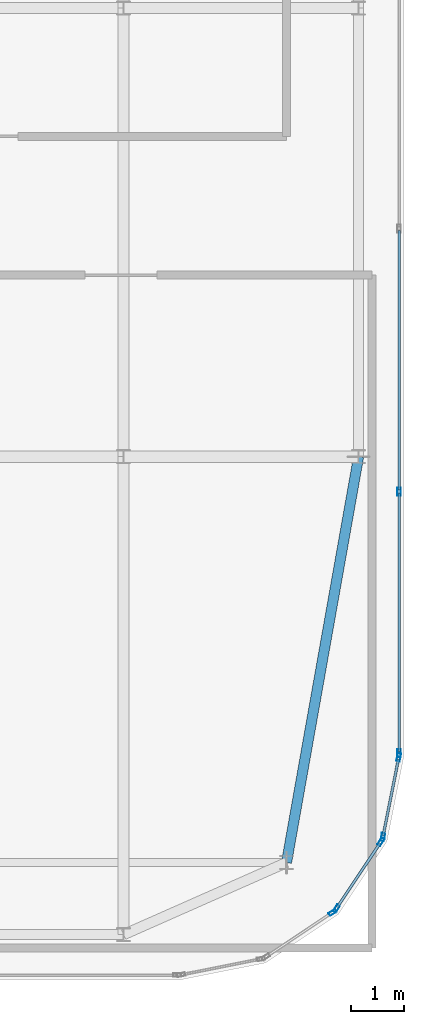
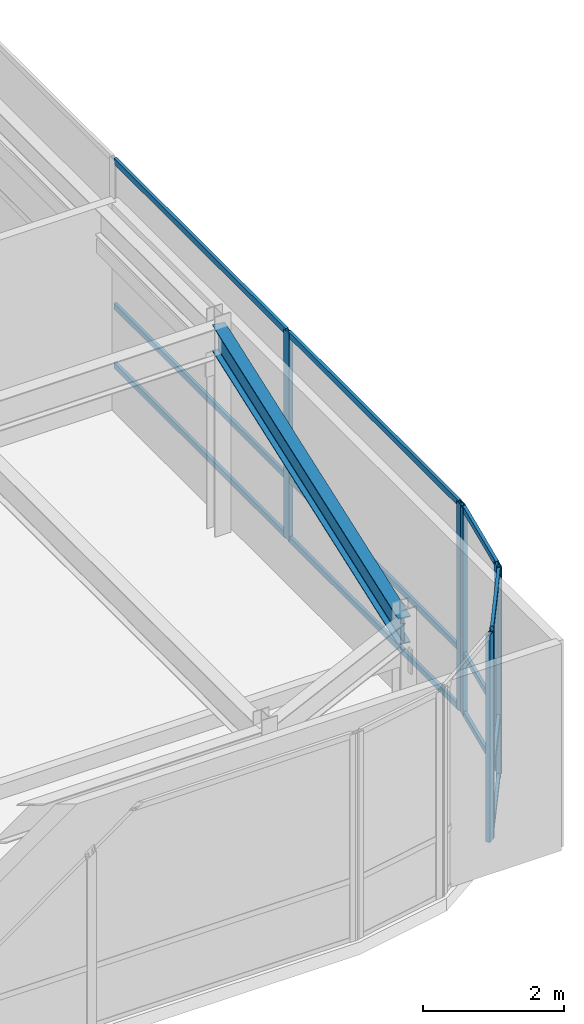
# One storey, part 21 of 36: 19 members, 1 beam, 4 elements without a shape of their own.
"""IFC4 building model written with IfcOpenShell, lengths in metres."""

import ifcopenshell
import ifcopenshell.guid

model = None  # the IFC model being written
_history = None  # IfcOwnerHistory: only IFC2X3 demands one
_inside = {}  # id of a spatial element -> (the spatial element, [elements in it])
_under = {}  # id of a project, library or spatial element -> (it, [spatial elements below it])
_declared = {}  # id of a project -> (the project, [libraries it declares])
_typed = {}  # id of a type object -> (the type object, [elements of that type])
_made_of = {}  # id of a material, layer set ... -> (it, [elements and type objects made of it])


def new_model(schema):
    """Start an empty IFC model of exactly this schema.

    Asked for "IFC4X3", IfcOpenShell would pick the latest addendum, in which some entities
    have other attributes; the version numbers below select the first issue.
    IFC2X3 requires an IfcOwnerHistory on every rooted entity: one is made here for all.
    """
    global model, _history
    if schema == "IFC4X3":
        model = ifcopenshell.file(schema_version=(4, 3, 0, 0))
    else:
        model = ifcopenshell.file(schema=schema)
    _inside.clear()
    _under.clear()
    _declared.clear()
    _typed.clear()
    _made_of.clear()
    _history = None
    if model.schema == "IFC2X3":
        org = make("IfcOrganization", Name="unknown")
        user = make(
            "IfcPersonAndOrganization",
            ThePerson=make("IfcPerson", FamilyName="unknown"),
            TheOrganization=org,
        )
        app = make(
            "IfcApplication",
            ApplicationDeveloper=org,
            Version="unknown",
            ApplicationFullName="unknown",
            ApplicationIdentifier="unknown",
        )
        _history = make(
            "IfcOwnerHistory",
            OwningUser=user,
            OwningApplication=app,
            ChangeAction="ADDED",
            CreationDate=0,
        )
    return model


def make(cls, **values):
    """One entity of the class cls with the attributes given. An attribute that is None is left unset."""
    return model.create_entity(
        cls, **{name: value for name, value in values.items() if value is not None}
    )


def rooted(cls, **values):
    """An entity with a GlobalId (a new one), such as an element, a storey or a relation."""
    return make(cls, GlobalId=ifcopenshell.guid.new(), OwnerHistory=_history, **values)


def si_unit(unit_type, name, prefix=None):
    """IfcSIUnit, for example si_unit("LENGTHUNIT", "METRE", prefix="MILLI")."""
    return make("IfcSIUnit", UnitType=unit_type, Prefix=prefix, Name=name)


def assignment(units):
    """IfcUnitAssignment: the units of a project."""
    return None if units is None else make("IfcUnitAssignment", Units=units)


def point(xyz):
    """IfcCartesianPoint."""
    return None if xyz is None else make("IfcCartesianPoint", Coordinates=xyz)


def direction(xyz):
    """IfcDirection."""
    return None if xyz is None else make("IfcDirection", DirectionRatios=xyz)


def frame(location, z_axis=None, x_axis=None):
    """IfcAxis2Placement3D, a coordinate frame: its origin and axes. An axis left out is left unset."""
    return make(
        "IfcAxis2Placement3D",
        Location=point(location),
        Axis=direction(z_axis),
        RefDirection=direction(x_axis),
    )


def frame_2d(location, x_axis=None):
    """IfcAxis2Placement2D, a coordinate frame in the plane: its origin and x axis."""
    return make(
        "IfcAxis2Placement2D", Location=point(location), RefDirection=direction(x_axis)
    )


def origin():
    """The frame at (0, 0, 0) with its axes left unset."""
    return frame((0.0, 0.0, 0.0))


def origin_2d():
    """The frame at (0, 0) in the plane with its x axis left unset."""
    return frame_2d((0.0, 0.0))


def place(relative_to, where):
    """IfcLocalPlacement: puts the frame where relative to a parent placement (None: the world)."""
    return make(
        "IfcLocalPlacement", PlacementRelTo=relative_to, RelativePlacement=where
    )


def context(
    kind, dimensions, precision=None, world=None, true_north=None, identifier=None
):
    """IfcGeometricRepresentationContext, for example the 3D "Model" context."""
    return make(
        "IfcGeometricRepresentationContext",
        ContextIdentifier=identifier,
        ContextType=kind,
        CoordinateSpaceDimension=dimensions,
        Precision=precision,
        WorldCoordinateSystem=world,
        TrueNorth=true_north,
    )


def subcontext(parent, identifier, kind, view, scale=None):
    """IfcGeometricRepresentationSubContext, for example "Body" below "Model"."""
    return make(
        "IfcGeometricRepresentationSubContext",
        ContextIdentifier=identifier,
        ContextType=kind,
        ParentContext=parent,
        TargetScale=scale,
        TargetView=view,
    )


def project(units=None, contexts=None):
    """IfcProject with its units and contexts."""
    return rooted(
        "IfcProject",
        Name="project",
        RepresentationContexts=contexts,
        UnitsInContext=assignment(units),
    )


def spatial(cls, under=None, at=None, **own):
    """A site, building, storey or space (cls), placed at a placement, below another one or the project."""
    s = rooted(cls, ObjectPlacement=at, **own)
    if under is not None:
        _under.setdefault(under.id(), (under, []))[1].append(s)
    return s


def profile(cls, at=None, kind="AREA", **sizes):
    """A parametric profile (cls). Its sizes go by their IFC names, for example OverallWidth=200.0."""
    return make(cls, ProfileType=kind, Position=at, **sizes)


def hollow_rectangle(**sizes):
    """IfcRectangleHollowProfileDef."""
    return profile("IfcRectangleHollowProfileDef", **sizes)


def i_section(**sizes):
    """IfcIShapeProfileDef."""
    return profile("IfcIShapeProfileDef", **sizes)


def extrude(swept, where, along, depth):
    """IfcExtrudedAreaSolid: the profile swept, set in the frame where, extruded along a direction by depth."""
    return make(
        "IfcExtrudedAreaSolid",
        SweptArea=swept,
        Position=where,
        ExtrudedDirection=direction(along),
        Depth=depth,
    )


def shape(context_of_items, identifier, shape_type, items):
    """IfcShapeRepresentation: the items that make up one representation, for example the "Body"."""
    return make(
        "IfcShapeRepresentation",
        ContextOfItems=context_of_items,
        RepresentationIdentifier=identifier,
        RepresentationType=shape_type,
        Items=items,
    )


def source(mapping_origin, context_of_items, identifier, shape_type, items):
    """IfcRepresentationMap: a shape defined once, which mapped items show again and again."""
    return make(
        "IfcRepresentationMap",
        MappingOrigin=mapping_origin,
        MappedRepresentation=shape(context_of_items, identifier, shape_type, items),
    )


def transform(
    local_origin,
    x_axis=None,
    y_axis=None,
    z_axis=None,
    scale=None,
    scale2=None,
    scale3=None,
    uniform=True,
):
    """IfcCartesianTransformationOperator3D, or its non-uniform kind. x_axis, y_axis, z_axis: its Axis1, 2, 3."""
    if uniform:
        return make(
            "IfcCartesianTransformationOperator3D",
            Axis1=direction(x_axis),
            Axis2=direction(y_axis),
            LocalOrigin=point(local_origin),
            Scale=scale,
            Axis3=direction(z_axis),
        )
    return make(
        "IfcCartesianTransformationOperator3DnonUniform",
        Axis1=direction(x_axis),
        Axis2=direction(y_axis),
        LocalOrigin=point(local_origin),
        Scale=scale,
        Axis3=direction(z_axis),
        Scale2=scale2,
        Scale3=scale3,
    )


def mapped(mapping_source, mapping_target):
    """IfcMappedItem: shows the shape of a source again, moved by a transform."""
    return make(
        "IfcMappedItem", MappingSource=mapping_source, MappingTarget=mapping_target
    )


def material(Name=None, Category=None):
    """IfcMaterial."""
    return make("IfcMaterial", Name=Name, Category=Category)


def layer(
    of_material, thickness, ventilated=None, Name=None, Category=None, Priority=None
):
    """IfcMaterialLayer: one layer of a wall or slab, of a material (None: an air gap)."""
    return make(
        "IfcMaterialLayer",
        Material=of_material,
        LayerThickness=thickness,
        IsVentilated=ventilated,
        Name=Name,
        Category=Category,
        Priority=Priority,
    )


def layer_set(layers, Name=None):
    """IfcMaterialLayerSet."""
    return make("IfcMaterialLayerSet", MaterialLayers=layers, LayerSetName=Name)


def material_profile(
    of_material, cross_section, Name=None, Category=None, Priority=None
):
    """IfcMaterialProfile: a cross section and its material."""
    return make(
        "IfcMaterialProfile",
        Name=Name,
        Material=of_material,
        Profile=cross_section,
        Priority=Priority,
        Category=Category,
    )


def profile_set(profiles, Name=None, composite=None):
    """IfcMaterialProfileSet."""
    return make(
        "IfcMaterialProfileSet",
        Name=Name,
        MaterialProfiles=profiles,
        CompositeProfile=composite,
    )


def made_of(thing, what):
    """Note that an element or type object is made of a material, layer set ...; save() writes the relation."""
    if what is not None:
        _made_of.setdefault(what.id(), (what, []))[1].append(thing)
    return thing


def type_object(cls, material=None, **own):
    """A type object (cls), such as IfcWallType, which elements share."""
    return made_of(rooted(cls, **own), material)


def type_shapes(of_type, sources):
    """Give a type object the sources (RepresentationMaps) that its elements show as mapped items."""
    of_type.RepresentationMaps = sources


def element(
    cls,
    number,
    at=None,
    inside=None,
    cuts=None,
    type_object=None,
    material=None,
    context=None,
    identifier="Body",
    shape_type=None,
    held_by="IfcProductDefinitionShape",
    body=None,
    shapes=None,
    **own,
):
    """One element of the class cls, such as IfcWall. Its Tag is "e" and its number.

    at: its placement. inside: the storey or other place that contains it. cuts: it is an
    opening in that element (IfcRelVoidsElement). A single representation is given by context,
    identifier, shape_type and body (its items); several are given by shapes. held_by: the class
    of the entity that holds the representations. save() writes the other relations.
    """
    e = rooted(cls, Tag="e%d" % number, ObjectPlacement=at, **own)
    if body is not None:
        shapes = [shape(context, identifier, shape_type, body)]
    if shapes is not None:
        e.Representation = make(held_by, Representations=shapes)
    if inside is not None:
        _inside.setdefault(inside.id(), (inside, []))[1].append(e)
    if cuts is not None:
        rooted(
            "IfcRelVoidsElement", RelatingBuildingElement=cuts, RelatedOpeningElement=e
        )
    if type_object is not None:
        _typed.setdefault(type_object.id(), (type_object, []))[1].append(e)
    return made_of(e, material)


def aggregate(whole, parts):
    """IfcRelAggregates: a whole, such as a stair, and the parts it consists of."""
    return rooted("IfcRelAggregates", RelatingObject=whole, RelatedObjects=parts)


def save(model, path):
    """Write the relations noted so far, then the file.

    IfcRelAggregates (storeys below a building ...), IfcRelContainedInSpatialStructure (elements
    in a storey), IfcRelDefinesByType, IfcRelAssociatesMaterial and IfcRelDeclares: one each for
    every whole, place, type object, material and project.
    """
    for whole, parts in _under.values():
        aggregate(whole, parts)
    for where, things in _inside.values():
        rooted(
            "IfcRelContainedInSpatialStructure",
            RelatedElements=things,
            RelatingStructure=where,
        )
    for kind, things in _typed.values():
        rooted("IfcRelDefinesByType", RelatedObjects=things, RelatingType=kind)
    for what, things in _made_of.values():
        rooted("IfcRelAssociatesMaterial", RelatedObjects=things, RelatingMaterial=what)
    for by, libraries in _declared.values():
        rooted("IfcRelDeclares", RelatingContext=by, RelatedDefinitions=libraries)
    model.write(path)


model = new_model("IFC4")

# Units and contexts
model_context = context("Model", 3, precision=1e-05, world=origin(), true_north=direction((0.0, 1.0)))
body_context = subcontext(model_context, "Body", "Model", "MODEL_VIEW")
ifc_project = project(units=[si_unit("LENGTHUNIT", "METRE"), si_unit("AREAUNIT", "SQUARE_METRE"), si_unit("VOLUMEUNIT", "CUBIC_METRE"), si_unit("PLANEANGLEUNIT", "RADIAN"), si_unit("MASSUNIT", "GRAM", prefix="KILO")], contexts=[model_context])

# Site, building, storey
site_placement = place(None, origin())
site = spatial("IfcSite", under=ifc_project, at=site_placement, CompositionType="ELEMENT")
building_placement = place(site_placement, origin())
building = spatial("IfcBuilding", under=site, at=building_placement, Name="Tolvann Quenvar Hotel", CompositionType="ELEMENT")
storey_placement = place(building_placement, frame((0.0, 0.0, 302.35009765625)))
storey = spatial("IfcBuildingStorey", under=building, at=storey_placement, Name="L80", CompositionType="ELEMENT", Elevation=302.35009765625)

# Beam
ifc_material_1 = material(Name="Steel Grade 350", Category="steel")
ifc_material_profile_1 = material_profile(ifc_material_1, i_section(OverallWidth=0.19091796875, OverallDepth=0.4599609375, WebThickness=0.010009765625, FlangeThickness=0.01611328125, FilletRadius=0.011474609375, at=origin_2d()), Name="460UB82")
ifc_profile_set_1 = profile_set([ifc_material_profile_1], Name="Steel Grade 350")
beam_type = type_object("IfcBeamType", Name="BM_SPAND_460UB82", PredefinedType="SPANDREL", material=ifc_profile_set_1)
shared_shape_1 = source(origin(), body_context, "Body", "SweptSolid", [
    extrude(i_section(OverallWidth=0.19091796875, OverallDepth=0.4599609375, WebThickness=0.010009765625, FlangeThickness=0.01611328125, FilletRadius=0.011474609375, at=origin_2d()), origin(), (0.0, 0.0, 1.0), 7.718994140625),
])
type_shapes(beam_type, [shared_shape_1])
beam_placement = place(storey_placement, frame((35.800048828125, 8.39990234375, 3.349853515625), z_axis=(0.174873222329, 0.984590958781, 0.0), x_axis=(-0.984590958781, 0.174873222329, 0.0)))
element("IfcBeam", 1, at=beam_placement, inside=storey, type_object=beam_type, Name="BM-L80-NS-G2-G4", PredefinedType="SPANDREL", context=body_context, shape_type="MappedRepresentation", body=[
    mapped(shared_shape_1, transform((0.0, 0.0, 0.0), x_axis=(1.0, 0.0, 0.0), y_axis=(0.0, 1.0, 0.0), z_axis=(0.0, 0.0, 1.0), scale=1.0)),
])

# Curtain wall, members
ifc_material_2 = material(Name="Thermally broken anodised architectural aluminium 6063-T6 and laminated low-E glass", Category="aluminium")
ifc_layer = layer(ifc_material_2, 0.179931640625)
ifc_layer_set = layer_set([ifc_layer], Name="Thermally broken anodised architectural aluminium 6063-T6 and laminated low-E glass")
curtain_wall_type = type_object("IfcCurtainWallType", Name="CW_SYS_LANT_06", PredefinedType="USERDEFINED", material=ifc_layer_set)
curtain_wall_1_placement = place(storey_placement, origin())
curtain_wall_1 = element("IfcCurtainWall", 2, at=curtain_wall_1_placement, inside=storey, type_object=curtain_wall_type, Name="Curtain Wall CW-LANT-06 (CWR-L80-E07)", ObjectType="UNITISED CURTAIN WALL", PredefinedType="USERDEFINED")
ifc_material_3 = material(Name="Anodised architectural aluminium 6063-T6 framing", Category="aluminium")
ifc_material_profile_2 = material_profile(ifc_material_3, hollow_rectangle(XDim=0.050048828125, YDim=0.10009765625, WallThickness=0.0029296875, at=origin_2d()), Name="100x50x3RHS")
ifc_profile_set_2 = profile_set([ifc_material_profile_2], Name="Anodised architectural aluminium 6063-T6 framing")
member_type_1 = type_object("IfcMemberType", Name="CW_TRAN_100x50", PredefinedType="USERDEFINED", material=ifc_profile_set_2)
shared_shape_2 = source(origin(), body_context, "Body", "SweptSolid", [
    extrude(hollow_rectangle(XDim=0.050048828125, YDim=0.10009765625, WallThickness=0.0029296875, at=origin_2d()), origin(), (0.0, 0.0, 1.0), 1.439208984375),
])
member_1_placement = place(storey_placement, frame((36.75048828125, 7.563232421875, 0.02490234375), z_axis=(0.555600315839, 0.831449510818, 0.0), x_axis=(-0.831449510818, 0.555600315839, 0.0)))
member_1 = element("IfcMember", 3, at=member_1_placement, type_object=member_type_1, Name="CW-LANT-06 transom 1.1", ObjectType="TRANSOM", PredefinedType="USERDEFINED", context=body_context, shape_type="MappedRepresentation", body=[
    mapped(shared_shape_2, transform((0.0, 0.0, 0.0), x_axis=(1.0, 0.0, 0.0), y_axis=(0.0, 1.0, 0.0), z_axis=(0.0, 0.0, 1.0), scale=1.0)),
])
member_2_placement = place(storey_placement, frame((36.75048828125, 7.563232421875, 1.0498046875), z_axis=(0.555600315839, 0.831449510818, 0.0), x_axis=(-0.831449510818, 0.555600315839, 0.0)))
member_2 = element("IfcMember", 4, at=member_2_placement, type_object=member_type_1, Name="CW-LANT-06 transom 1.2", ObjectType="TRANSOM", PredefinedType="USERDEFINED", context=body_context, shape_type="MappedRepresentation", body=[
    mapped(shared_shape_2, transform((0.0, 0.0, 0.0), x_axis=(1.0, 0.0, 0.0), y_axis=(0.0, 1.0, 0.0), z_axis=(0.0, 0.0, 1.0), scale=1.0)),
])
member_3_placement = place(storey_placement, frame((36.75048828125, 7.563232421875, 3.554931640625), z_axis=(0.555600315839, 0.831449510818, 0.0), x_axis=(-0.831449510818, 0.555600315839, 0.0)))
member_3 = element("IfcMember", 5, at=member_3_placement, type_object=member_type_1, Name="CW-LANT-06 transom 1.3", ObjectType="TRANSOM", PredefinedType="USERDEFINED", context=body_context, shape_type="MappedRepresentation", body=[
    mapped(shared_shape_2, transform((0.0, 0.0, 0.0), x_axis=(1.0, 0.0, 0.0), y_axis=(0.0, 1.0, 0.0), z_axis=(0.0, 0.0, 1.0), scale=1.0)),
])

curtain_wall_2_placement = place(storey_placement, origin())
curtain_wall_2 = element("IfcCurtainWall", 6, at=curtain_wall_2_placement, inside=storey, type_object=curtain_wall_type, Name="Curtain Wall CW-LANT-06 (CWR-L80-E08)", ObjectType="UNITISED CURTAIN WALL", PredefinedType="USERDEFINED")
shared_shape_3 = source(origin(), body_context, "Body", "SweptSolid", [
    extrude(hollow_rectangle(XDim=0.050048828125, YDim=0.10009765625, WallThickness=0.0029296875, at=origin_2d()), origin(), (0.0, 0.0, 1.0), 1.456787109375),
])
member_4_placement = place(storey_placement, frame((37.611572265625, 8.908203125, 0.02490234375), z_axis=(0.195084651288, 0.980786408364, 0.0), x_axis=(-0.980786408364, 0.195084651288, 0.0)))
member_4 = element("IfcMember", 7, at=member_4_placement, type_object=member_type_1, Name="CW-LANT-06 transom 1.1", ObjectType="TRANSOM", PredefinedType="USERDEFINED", context=body_context, shape_type="MappedRepresentation", body=[
    mapped(shared_shape_3, transform((0.0, 0.0, 0.0), x_axis=(1.0, 0.0, 0.0), y_axis=(0.0, 1.0, 0.0), z_axis=(0.0, 0.0, 1.0), scale=1.0)),
])
member_5_placement = place(storey_placement, frame((37.611572265625, 8.908203125, 1.0498046875), z_axis=(0.195084651288, 0.980786408364, 0.0), x_axis=(-0.980786408364, 0.195084651288, 0.0)))
member_5 = element("IfcMember", 8, at=member_5_placement, type_object=member_type_1, Name="CW-LANT-06 transom 1.2", ObjectType="TRANSOM", PredefinedType="USERDEFINED", context=body_context, shape_type="MappedRepresentation", body=[
    mapped(shared_shape_3, transform((0.0, 0.0, 0.0), x_axis=(1.0, 0.0, 0.0), y_axis=(0.0, 1.0, 0.0), z_axis=(0.0, 0.0, 1.0), scale=1.0)),
])
member_6_placement = place(storey_placement, frame((37.611572265625, 8.908203125, 3.554931640625), z_axis=(0.195084651288, 0.980786408364, 0.0), x_axis=(-0.980786408364, 0.195084651288, 0.0)))
member_6 = element("IfcMember", 9, at=member_6_placement, type_object=member_type_1, Name="CW-LANT-06 transom 1.3", ObjectType="TRANSOM", PredefinedType="USERDEFINED", context=body_context, shape_type="MappedRepresentation", body=[
    mapped(shared_shape_3, transform((0.0, 0.0, 0.0), x_axis=(1.0, 0.0, 0.0), y_axis=(0.0, 1.0, 0.0), z_axis=(0.0, 0.0, 1.0), scale=1.0)),
])

curtain_wall_3_placement = place(storey_placement, origin())
curtain_wall_3 = element("IfcCurtainWall", 10, at=curtain_wall_3_placement, inside=storey, type_object=curtain_wall_type, Name="Curtain Wall CW-LANT-06 (CWR-L80-E09)", ObjectType="UNITISED CURTAIN WALL", PredefinedType="USERDEFINED")
shared_shape_4 = source(origin(), body_context, "Body", "SweptSolid", [
    extrude(hollow_rectangle(XDim=0.050048828125, YDim=0.10009765625, WallThickness=0.0029296875, at=origin_2d()), origin(), (0.0, 0.0, 1.0), 4.830078125),
])
member_7_placement = place(storey_placement, frame((37.909912109375, 10.482177734375, 0.02490234375), z_axis=(0.0, 1.0, 0.0), x_axis=(-1.0, 0.0, 0.0)))
member_7 = element("IfcMember", 11, at=member_7_placement, type_object=member_type_1, Name="CW-LANT-06 transom 1.1", ObjectType="TRANSOM", PredefinedType="USERDEFINED", context=body_context, shape_type="MappedRepresentation", body=[
    mapped(shared_shape_4, transform((0.0, 0.0, 0.0), x_axis=(1.0, 0.0, 0.0), y_axis=(0.0, 1.0, 0.0), z_axis=(0.0, 0.0, 1.0), scale=1.0)),
])
member_8_placement = place(storey_placement, frame((37.909912109375, 10.482177734375, 1.0498046875), z_axis=(0.0, 1.0, 0.0), x_axis=(-1.0, 0.0, 0.0)))
member_8 = element("IfcMember", 12, at=member_8_placement, type_object=member_type_1, Name="CW-LANT-06 transom 1.2", ObjectType="TRANSOM", PredefinedType="USERDEFINED", context=body_context, shape_type="MappedRepresentation", body=[
    mapped(shared_shape_4, transform((0.0, 0.0, 0.0), x_axis=(1.0, 0.0, 0.0), y_axis=(0.0, 1.0, 0.0), z_axis=(0.0, 0.0, 1.0), scale=1.0)),
])
member_9_placement = place(storey_placement, frame((37.909912109375, 10.482177734375, 3.554931640625), z_axis=(0.0, 1.0, 0.0), x_axis=(-1.0, 0.0, 0.0)))
member_9 = element("IfcMember", 13, at=member_9_placement, type_object=member_type_1, Name="CW-LANT-06 transom 1.3", ObjectType="TRANSOM", PredefinedType="USERDEFINED", context=body_context, shape_type="MappedRepresentation", body=[
    mapped(shared_shape_4, transform((0.0, 0.0, 0.0), x_axis=(1.0, 0.0, 0.0), y_axis=(0.0, 1.0, 0.0), z_axis=(0.0, 0.0, 1.0), scale=1.0)),
])
shared_shape_5 = source(origin(), body_context, "Body", "SweptSolid", [
    extrude(hollow_rectangle(XDim=0.050048828125, YDim=0.10009765625, WallThickness=0.0029296875, at=origin_2d()), origin(), (0.0, 0.0, 1.0), 4.86279296875),
])
type_shapes(member_type_1, [shared_shape_2, shared_shape_3, shared_shape_4, shared_shape_5])
member_10_placement = place(storey_placement, frame((37.909912109375, 15.377197265625, 0.02490234375), z_axis=(0.0, 1.0, 0.0), x_axis=(-1.0, 0.0, 0.0)))
member_10 = element("IfcMember", 14, at=member_10_placement, type_object=member_type_1, Name="CW-LANT-06 transom 2.1", ObjectType="TRANSOM", PredefinedType="USERDEFINED", context=body_context, shape_type="MappedRepresentation", body=[
    mapped(shared_shape_5, transform((0.0, 0.0, 0.0), x_axis=(1.0, 0.0, 0.0), y_axis=(0.0, 1.0, 0.0), z_axis=(0.0, 0.0, 1.0), scale=1.0)),
])
member_11_placement = place(storey_placement, frame((37.909912109375, 15.377197265625, 1.0498046875), z_axis=(0.0, 1.0, 0.0), x_axis=(-1.0, 0.0, 0.0)))
member_11 = element("IfcMember", 15, at=member_11_placement, type_object=member_type_1, Name="CW-LANT-06 transom 2.2", ObjectType="TRANSOM", PredefinedType="USERDEFINED", context=body_context, shape_type="MappedRepresentation", body=[
    mapped(shared_shape_5, transform((0.0, 0.0, 0.0), x_axis=(1.0, 0.0, 0.0), y_axis=(0.0, 1.0, 0.0), z_axis=(0.0, 0.0, 1.0), scale=1.0)),
])
member_12_placement = place(storey_placement, frame((37.909912109375, 15.377197265625, 3.554931640625), z_axis=(0.0, 1.0, 0.0), x_axis=(-1.0, 0.0, 0.0)))
member_12 = element("IfcMember", 16, at=member_12_placement, type_object=member_type_1, Name="CW-LANT-06 transom 2.3", ObjectType="TRANSOM", PredefinedType="USERDEFINED", context=body_context, shape_type="MappedRepresentation", body=[
    mapped(shared_shape_5, transform((0.0, 0.0, 0.0), x_axis=(1.0, 0.0, 0.0), y_axis=(0.0, 1.0, 0.0), z_axis=(0.0, 0.0, 1.0), scale=1.0)),
])

# Curtain wall, member
curtain_wall_4_placement = place(storey_placement, origin())
curtain_wall_4 = element("IfcCurtainWall", 17, at=curtain_wall_4_placement, inside=storey, type_object=curtain_wall_type, Name="Curtain Wall CW-LANT-06 (CWR-L80-E06)", ObjectType="UNITISED CURTAIN WALL", PredefinedType="USERDEFINED")
ifc_material_profile_3 = material_profile(ifc_material_3, hollow_rectangle(XDim=0.06494140625, YDim=0.14990234375, WallThickness=0.00390625, at=origin_2d()), Name="150x65x4RHS")
ifc_profile_set_3 = profile_set([ifc_material_profile_3], Name="Anodised architectural aluminium 6063-T6 framing")
member_type_2 = type_object("IfcMemberType", Name="CW_MULL_150x65", PredefinedType="MULLION", material=ifc_profile_set_3)
shared_shape_6 = source(origin(), body_context, "Body", "SweptSolid", [
    extrude(hollow_rectangle(XDim=0.06494140625, YDim=0.14990234375, WallThickness=0.00390625, at=origin_2d()), origin(), (0.0, 0.0, 1.0), 3.579833984375),
])
type_shapes(member_type_2, [shared_shape_6])
member_13_placement = place(storey_placement, frame((36.663818359375, 7.467529296875, 0.0), z_axis=(0.0, 0.0, 1.0), x_axis=(-0.555655769644, 0.831412452193, 0.0)))
member_13 = element("IfcMember", 18, at=member_13_placement, type_object=member_type_2, Name="CW-LANT-06 mullion 2", PredefinedType="MULLION", context=body_context, shape_type="MappedRepresentation", body=[
    mapped(shared_shape_6, transform((0.0, 0.0, 0.0), x_axis=(1.0, 0.0, 0.0), y_axis=(0.0, 1.0, 0.0), z_axis=(0.0, 0.0, 1.0), scale=1.0)),
])
aggregate(curtain_wall_4, [member_13])

# Member
member_14_placement = place(storey_placement, frame((36.732421875, 7.5361328125, 0.0), z_axis=(0.0, 0.0, 1.0), x_axis=(-0.831412452193, 0.555655769644, 0.0)))
member_14 = element("IfcMember", 19, at=member_14_placement, type_object=member_type_2, Name="CW-LANT-06 mullion 1", PredefinedType="MULLION", context=body_context, shape_type="MappedRepresentation", body=[
    mapped(shared_shape_6, transform((0.0, 0.0, 0.0), x_axis=(1.0, 0.0, 0.0), y_axis=(0.0, 1.0, 0.0), z_axis=(0.0, 0.0, 1.0), scale=1.0)),
])

member_15_placement = place(storey_placement, frame((37.568115234375, 8.786865234375, 0.0), z_axis=(0.0, 0.0, 1.0), x_axis=(-0.831412452193, 0.555655769644, 0.0)))
member_15 = element("IfcMember", 20, at=member_15_placement, type_object=member_type_2, Name="CW-LANT-06 mullion 2", PredefinedType="MULLION", context=body_context, shape_type="MappedRepresentation", body=[
    mapped(shared_shape_6, transform((0.0, 0.0, 0.0), x_axis=(1.0, 0.0, 0.0), y_axis=(0.0, 1.0, 0.0), z_axis=(0.0, 0.0, 1.0), scale=1.0)),
])

aggregate(curtain_wall_1, [member_14, member_15, member_1, member_2, member_3])

member_16_placement = place(storey_placement, frame((37.605224609375, 8.876220703125, 0.0), z_axis=(0.0, 0.0, 1.0), x_axis=(-0.980790999222, 0.195061569369, 0.0)))
member_16 = element("IfcMember", 21, at=member_16_placement, type_object=member_type_2, Name="CW-LANT-06 mullion 1", PredefinedType="MULLION", context=body_context, shape_type="MappedRepresentation", body=[
    mapped(shared_shape_6, transform((0.0, 0.0, 0.0), x_axis=(1.0, 0.0, 0.0), y_axis=(0.0, 1.0, 0.0), z_axis=(0.0, 0.0, 1.0), scale=1.0)),
])

member_17_placement = place(storey_placement, frame((37.902099609375, 10.36865234375, 0.0), z_axis=(0.0, 0.0, 1.0), x_axis=(-0.980790999222, 0.195061569369, 0.0)))
member_17 = element("IfcMember", 22, at=member_17_placement, type_object=member_type_2, Name="CW-LANT-06 mullion 2", PredefinedType="MULLION", context=body_context, shape_type="MappedRepresentation", body=[
    mapped(shared_shape_6, transform((0.0, 0.0, 0.0), x_axis=(1.0, 0.0, 0.0), y_axis=(0.0, 1.0, 0.0), z_axis=(0.0, 0.0, 1.0), scale=1.0)),
])

aggregate(curtain_wall_2, [member_16, member_17, member_4, member_5, member_6])

member_18_placement = place(storey_placement, frame((37.909912109375, 10.44970703125, 0.0), z_axis=(0.0, 0.0, 1.0), x_axis=(-1.0, 0.0, 0.0)))
member_18 = element("IfcMember", 23, at=member_18_placement, type_object=member_type_2, Name="CW-LANT-06 mullion 1", PredefinedType="MULLION", context=body_context, shape_type="MappedRepresentation", body=[
    mapped(shared_shape_6, transform((0.0, 0.0, 0.0), x_axis=(1.0, 0.0, 0.0), y_axis=(0.0, 1.0, 0.0), z_axis=(0.0, 0.0, 1.0), scale=1.0)),
])

member_19_placement = place(storey_placement, frame((37.909912109375, 15.3447265625, 0.0), z_axis=(0.0, 0.0, 1.0), x_axis=(-1.0, 0.0, 0.0)))
member_19 = element("IfcMember", 24, at=member_19_placement, type_object=member_type_2, Name="CW-LANT-06 mullion 2", PredefinedType="MULLION", context=body_context, shape_type="MappedRepresentation", body=[
    mapped(shared_shape_6, transform((0.0, 0.0, 0.0), x_axis=(1.0, 0.0, 0.0), y_axis=(0.0, 1.0, 0.0), z_axis=(0.0, 0.0, 1.0), scale=1.0)),
])

aggregate(curtain_wall_3, [member_18, member_19, member_7, member_8, member_9, member_10, member_11, member_12])

save(model, "model.ifc")
